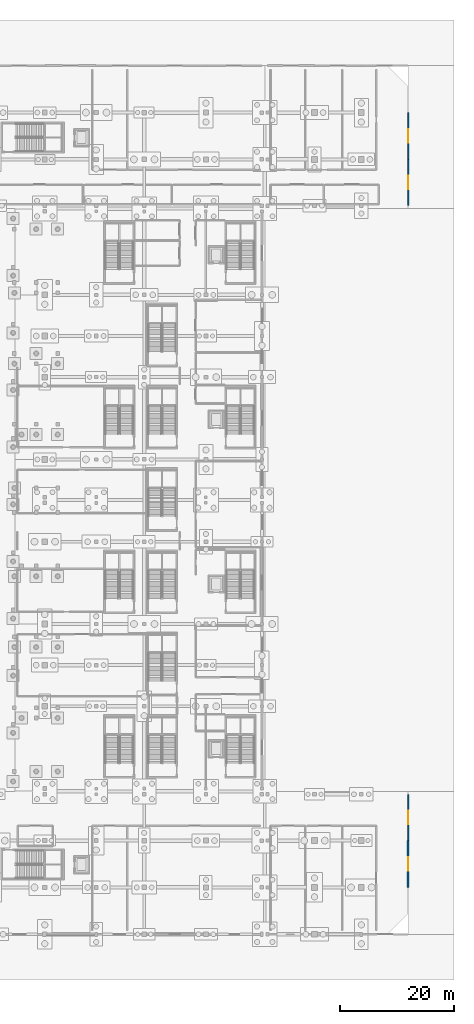
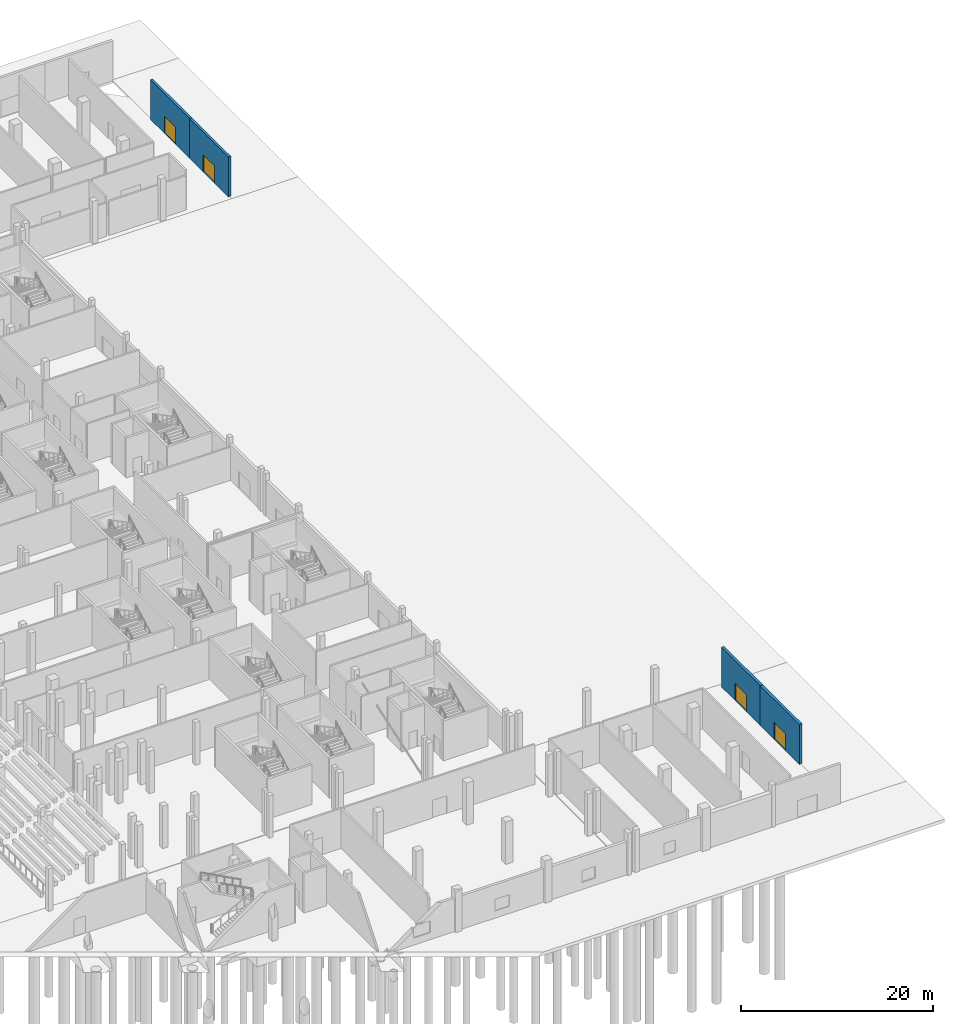
# One storey, part 50 of 89: 4 doors, 4 walls, 4 openings.
"""IFC4 building model written with IfcOpenShell, lengths in metres."""

import ifcopenshell
import ifcopenshell.guid

model = None  # the IFC model being written
_history = None  # IfcOwnerHistory: only IFC2X3 demands one
_inside = {}  # id of a spatial element -> (the spatial element, [elements in it])
_under = {}  # id of a project, library or spatial element -> (it, [spatial elements below it])
_declared = {}  # id of a project -> (the project, [libraries it declares])
_typed = {}  # id of a type object -> (the type object, [elements of that type])
_made_of = {}  # id of a material, layer set ... -> (it, [elements and type objects made of it])


def new_model(schema):
    """Start an empty IFC model of exactly this schema.

    Asked for "IFC4X3", IfcOpenShell would pick the latest addendum, in which some entities
    have other attributes; the version numbers below select the first issue.
    IFC2X3 requires an IfcOwnerHistory on every rooted entity: one is made here for all.
    """
    global model, _history
    if schema == "IFC4X3":
        model = ifcopenshell.file(schema_version=(4, 3, 0, 0))
    else:
        model = ifcopenshell.file(schema=schema)
    _inside.clear()
    _under.clear()
    _declared.clear()
    _typed.clear()
    _made_of.clear()
    _history = None
    if model.schema == "IFC2X3":
        org = make("IfcOrganization", Name="unknown")
        user = make(
            "IfcPersonAndOrganization",
            ThePerson=make("IfcPerson", FamilyName="unknown"),
            TheOrganization=org,
        )
        app = make(
            "IfcApplication",
            ApplicationDeveloper=org,
            Version="unknown",
            ApplicationFullName="unknown",
            ApplicationIdentifier="unknown",
        )
        _history = make(
            "IfcOwnerHistory",
            OwningUser=user,
            OwningApplication=app,
            ChangeAction="ADDED",
            CreationDate=0,
        )
    return model


def make(cls, **values):
    """One entity of the class cls with the attributes given. An attribute that is None is left unset."""
    return model.create_entity(
        cls, **{name: value for name, value in values.items() if value is not None}
    )


def rooted(cls, **values):
    """An entity with a GlobalId (a new one), such as an element, a storey or a relation."""
    return make(cls, GlobalId=ifcopenshell.guid.new(), OwnerHistory=_history, **values)


def si_unit(unit_type, name, prefix=None):
    """IfcSIUnit, for example si_unit("LENGTHUNIT", "METRE", prefix="MILLI")."""
    return make("IfcSIUnit", UnitType=unit_type, Prefix=prefix, Name=name)


def assignment(units):
    """IfcUnitAssignment: the units of a project."""
    return None if units is None else make("IfcUnitAssignment", Units=units)


def point(xyz):
    """IfcCartesianPoint."""
    return None if xyz is None else make("IfcCartesianPoint", Coordinates=xyz)


def direction(xyz):
    """IfcDirection."""
    return None if xyz is None else make("IfcDirection", DirectionRatios=xyz)


def frame(location, z_axis=None, x_axis=None):
    """IfcAxis2Placement3D, a coordinate frame: its origin and axes. An axis left out is left unset."""
    return make(
        "IfcAxis2Placement3D",
        Location=point(location),
        Axis=direction(z_axis),
        RefDirection=direction(x_axis),
    )


def frame_2d(location, x_axis=None):
    """IfcAxis2Placement2D, a coordinate frame in the plane: its origin and x axis."""
    return make(
        "IfcAxis2Placement2D", Location=point(location), RefDirection=direction(x_axis)
    )


def origin():
    """The frame at (0, 0, 0) with its axes left unset."""
    return frame((0.0, 0.0, 0.0))


def place(relative_to, where):
    """IfcLocalPlacement: puts the frame where relative to a parent placement (None: the world)."""
    return make(
        "IfcLocalPlacement", PlacementRelTo=relative_to, RelativePlacement=where
    )


def context(
    kind, dimensions, precision=None, world=None, true_north=None, identifier=None
):
    """IfcGeometricRepresentationContext, for example the 3D "Model" context."""
    return make(
        "IfcGeometricRepresentationContext",
        ContextIdentifier=identifier,
        ContextType=kind,
        CoordinateSpaceDimension=dimensions,
        Precision=precision,
        WorldCoordinateSystem=world,
        TrueNorth=true_north,
    )


def subcontext(parent, identifier, kind, view, scale=None):
    """IfcGeometricRepresentationSubContext, for example "Body" below "Model"."""
    return make(
        "IfcGeometricRepresentationSubContext",
        ContextIdentifier=identifier,
        ContextType=kind,
        ParentContext=parent,
        TargetScale=scale,
        TargetView=view,
    )


def project(units=None, contexts=None):
    """IfcProject with its units and contexts."""
    return rooted(
        "IfcProject",
        Name="project",
        RepresentationContexts=contexts,
        UnitsInContext=assignment(units),
    )


def spatial(cls, under=None, at=None, **own):
    """A site, building, storey or space (cls), placed at a placement, below another one or the project."""
    s = rooted(cls, ObjectPlacement=at, **own)
    if under is not None:
        _under.setdefault(under.id(), (under, []))[1].append(s)
    return s


def profile(cls, at=None, kind="AREA", **sizes):
    """A parametric profile (cls). Its sizes go by their IFC names, for example OverallWidth=200.0."""
    return make(cls, ProfileType=kind, Position=at, **sizes)


def rectangle(**sizes):
    """IfcRectangleProfileDef."""
    return profile("IfcRectangleProfileDef", **sizes)


def extrude(swept, where, along, depth):
    """IfcExtrudedAreaSolid: the profile swept, set in the frame where, extruded along a direction by depth."""
    return make(
        "IfcExtrudedAreaSolid",
        SweptArea=swept,
        Position=where,
        ExtrudedDirection=direction(along),
        Depth=depth,
    )


def shape(context_of_items, identifier, shape_type, items):
    """IfcShapeRepresentation: the items that make up one representation, for example the "Body"."""
    return make(
        "IfcShapeRepresentation",
        ContextOfItems=context_of_items,
        RepresentationIdentifier=identifier,
        RepresentationType=shape_type,
        Items=items,
    )


def material(Name=None, Category=None):
    """IfcMaterial."""
    return make("IfcMaterial", Name=Name, Category=Category)


def layer(
    of_material, thickness, ventilated=None, Name=None, Category=None, Priority=None
):
    """IfcMaterialLayer: one layer of a wall or slab, of a material (None: an air gap)."""
    return make(
        "IfcMaterialLayer",
        Material=of_material,
        LayerThickness=thickness,
        IsVentilated=ventilated,
        Name=Name,
        Category=Category,
        Priority=Priority,
    )


def layer_set(layers, Name=None):
    """IfcMaterialLayerSet."""
    return make("IfcMaterialLayerSet", MaterialLayers=layers, LayerSetName=Name)


def made_of(thing, what):
    """Note that an element or type object is made of a material, layer set ...; save() writes the relation."""
    if what is not None:
        _made_of.setdefault(what.id(), (what, []))[1].append(thing)
    return thing


def type_object(cls, material=None, **own):
    """A type object (cls), such as IfcWallType, which elements share."""
    return made_of(rooted(cls, **own), material)


def element(
    cls,
    number,
    at=None,
    inside=None,
    cuts=None,
    type_object=None,
    material=None,
    context=None,
    identifier="Body",
    shape_type=None,
    held_by="IfcProductDefinitionShape",
    body=None,
    shapes=None,
    **own,
):
    """One element of the class cls, such as IfcWall. Its Tag is "e" and its number.

    at: its placement. inside: the storey or other place that contains it. cuts: it is an
    opening in that element (IfcRelVoidsElement). A single representation is given by context,
    identifier, shape_type and body (its items); several are given by shapes. held_by: the class
    of the entity that holds the representations. save() writes the other relations.
    """
    e = rooted(cls, Tag="e%d" % number, ObjectPlacement=at, **own)
    if body is not None:
        shapes = [shape(context, identifier, shape_type, body)]
    if shapes is not None:
        e.Representation = make(held_by, Representations=shapes)
    if inside is not None:
        _inside.setdefault(inside.id(), (inside, []))[1].append(e)
    if cuts is not None:
        rooted(
            "IfcRelVoidsElement", RelatingBuildingElement=cuts, RelatedOpeningElement=e
        )
    if type_object is not None:
        _typed.setdefault(type_object.id(), (type_object, []))[1].append(e)
    return made_of(e, material)


def fill(opening, filler):
    """IfcRelFillsElement: the door or window that sits in an opening."""
    return rooted(
        "IfcRelFillsElement",
        RelatingOpeningElement=opening,
        RelatedBuildingElement=filler,
    )


def aggregate(whole, parts):
    """IfcRelAggregates: a whole, such as a stair, and the parts it consists of."""
    return rooted("IfcRelAggregates", RelatingObject=whole, RelatedObjects=parts)


def save(model, path):
    """Write the relations noted so far, then the file.

    IfcRelAggregates (storeys below a building ...), IfcRelContainedInSpatialStructure (elements
    in a storey), IfcRelDefinesByType, IfcRelAssociatesMaterial and IfcRelDeclares: one each for
    every whole, place, type object, material and project.
    """
    for whole, parts in _under.values():
        aggregate(whole, parts)
    for where, things in _inside.values():
        rooted(
            "IfcRelContainedInSpatialStructure",
            RelatedElements=things,
            RelatingStructure=where,
        )
    for kind, things in _typed.values():
        rooted("IfcRelDefinesByType", RelatedObjects=things, RelatingType=kind)
    for what, things in _made_of.values():
        rooted("IfcRelAssociatesMaterial", RelatedObjects=things, RelatingMaterial=what)
    for by, libraries in _declared.values():
        rooted("IfcRelDeclares", RelatingContext=by, RelatedDefinitions=libraries)
    model.write(path)


model = new_model("IFC4")

# Units and contexts
model_context = context("Model", 3, precision=1e-05, world=origin(), true_north=direction((0.0, 1.0)))
body_context = subcontext(model_context, "Body", "Model", "MODEL_VIEW")
ifc_project = project(units=[si_unit("LENGTHUNIT", "METRE"), si_unit("AREAUNIT", "SQUARE_METRE"), si_unit("VOLUMEUNIT", "CUBIC_METRE"), si_unit("PLANEANGLEUNIT", "RADIAN"), si_unit("MASSUNIT", "GRAM", prefix="KILO")], contexts=[model_context])

# Site, building, storey
site_placement = place(None, origin())
site = spatial("IfcSite", under=ifc_project, at=site_placement, CompositionType="ELEMENT")
building_placement = place(site_placement, origin())
building = spatial("IfcBuilding", under=site, at=building_placement, Name="Koshinbarg Plaza Stadium", CompositionType="ELEMENT")
storey_placement = place(building_placement, origin())
storey = spatial("IfcBuildingStorey", under=building, at=storey_placement, Name="L00", CompositionType="ELEMENT", Elevation=0.0)

# Wall, opening, door
ifc_material_1 = material(Name="Terracotta-ochre mineral plaster insulated wall", Category="masonry")
ifc_layer_1 = layer(ifc_material_1, 0.280029296875)
ifc_layer_set_1 = layer_set([ifc_layer_1], Name="Terracotta-ochre mineral plaster insulated wall")
wall_type_1 = type_object("IfcWallType", Name="WL-EXT-280", PredefinedType="SOLIDWALL", material=ifc_layer_set_1)
wall_1_placement = place(storey_placement, frame((244.0, 143.800048828125, 0.0), z_axis=(0.0, 0.0, 1.0), x_axis=(0.0, -1.0, 0.0)))
wall_1 = element("IfcWall", 1, at=wall_1_placement, inside=storey, type_object=wall_type_1, Name="L00 exterior envelope wall EWL-L00-0048", PredefinedType="SOLIDWALL", context=body_context, shape_type="SweptSolid", body=[
    extrude(rectangle(XDim=8.199951171875, YDim=0.280029296875, at=frame_2d((4.10009765625, 0.0))), origin(), (0.0, 0.0, 1.0), 5.080078125),
])
opening_1_placement = place(wall_1_placement, frame((2.89990234375, 0.0, 0.0)))
opening_1 = element("IfcOpeningElement", 2, at=opening_1_placement, cuts=wall_1, Name="Opening D-0049", PredefinedType="OPENING", context=body_context, shape_type="SweptSolid", body=[
    extrude(rectangle(XDim=2.39990234375, YDim=2.199951171875, at=frame_2d((1.199951171875, 1.10009765625))), frame((0.0, 0.14990234375, 0.0), z_axis=(0.0, -1.0, 0.0), x_axis=(1.0, 0.0, 0.0)), (0.0, 0.0, 1.0), 0.300048828125),
])
ifc_material_2 = material(Name="Anodised aluminium thermally broken exit door", Category="aluminium")
door_type = type_object("IfcDoorType", Name="DR-EXIT-2400", OperationType="NOTDEFINED", PredefinedType="DOOR", material=ifc_material_2)
door_1_placement = place(opening_1_placement, origin())
door_1 = element("IfcDoor", 3, at=door_1_placement, inside=storey, type_object=door_type, Name="Main exit E48", OperationType="DOUBLE_DOOR_SINGLE_SWING", OverallHeight=2.199951171875, OverallWidth=2.39990234375, PredefinedType="DOOR", context=body_context, shape_type="SweptSolid", body=[
    extrude(rectangle(XDim=2.39990234375, YDim=2.199951171875, at=frame_2d((1.199951171875, 1.10009765625))), frame((0.0, 0.02490234375, 0.0), z_axis=(0.0, -1.0, 0.0), x_axis=(1.0, 0.0, 0.0)), (0.0, 0.0, 1.0), 0.050048828125),
])
fill(opening_1, door_1)

ifc_material_3 = material(Name="Off-white mineral plaster insulated wall", Category="masonry")
ifc_layer_2 = layer(ifc_material_3, 0.300048828125)
ifc_layer_set_2 = layer_set([ifc_layer_2], Name="Off-white mineral plaster insulated wall")
wall_type_2 = type_object("IfcWallType", Name="WL-EXT-300", PredefinedType="SOLIDWALL", material=ifc_layer_set_2)
wall_2_placement = place(storey_placement, frame((244.0, 135.60009765625, 0.0), z_axis=(0.0, 0.0, 1.0), x_axis=(0.0, -1.0, 0.0)))
wall_2 = element("IfcWall", 4, at=wall_2_placement, inside=storey, type_object=wall_type_2, Name="L00 exterior envelope wall EWL-L00-0049", PredefinedType="SOLIDWALL", context=body_context, shape_type="SweptSolid", body=[
    extrude(rectangle(XDim=8.10009765625, YDim=0.300048828125, at=frame_2d((4.050048828125, 0.0))), origin(), (0.0, 0.0, 1.0), 5.080078125),
])
opening_2_placement = place(wall_2_placement, frame((2.85009765625, 0.0, 0.0)))
opening_2 = element("IfcOpeningElement", 5, at=opening_2_placement, cuts=wall_2, Name="Opening D-0050", PredefinedType="OPENING", context=body_context, shape_type="SweptSolid", body=[
    extrude(rectangle(XDim=2.39990234375, YDim=2.199951171875, at=frame_2d((1.199951171875, 1.10009765625))), frame((0.0, 0.159912109375, 0.0), z_axis=(0.0, -1.0, 0.0), x_axis=(1.0, 0.0, 0.0)), (0.0, 0.0, 1.0), 0.320068359375),
])
door_2_placement = place(opening_2_placement, origin())
door_2 = element("IfcDoor", 6, at=door_2_placement, inside=storey, type_object=door_type, Name="Main exit E49", OperationType="DOUBLE_DOOR_SINGLE_SWING", OverallHeight=2.199951171875, OverallWidth=2.39990234375, PredefinedType="DOOR", context=body_context, shape_type="SweptSolid", body=[
    extrude(rectangle(XDim=2.39990234375, YDim=2.199951171875, at=frame_2d((1.199951171875, 1.10009765625))), frame((0.0, 0.02490234375, 0.0), z_axis=(0.0, -1.0, 0.0), x_axis=(1.0, 0.0, 0.0)), (0.0, 0.0, 1.0), 0.050048828125),
])
fill(opening_2, door_2)

ifc_material_4 = material(Name="Ultramarine-blue pigmented mineral plaster facade wall", Category="masonry")
ifc_layer_3 = layer(ifc_material_4, 0.320068359375)
ifc_layer_set_3 = layer_set([ifc_layer_3], Name="Ultramarine-blue pigmented mineral plaster facade wall")
wall_type_3 = type_object("IfcWallType", Name="WL-EXT-320", PredefinedType="SOLIDWALL", material=ifc_layer_set_3)
wall_3_placement = place(storey_placement, frame((244.0, 24.5, 0.0), z_axis=(0.0, 0.0, 1.0), x_axis=(0.0, -1.0, 0.0)))
wall_3 = element("IfcWall", 7, at=wall_3_placement, inside=storey, type_object=wall_type_3, Name="L00 exterior envelope wall EWL-L00-0050", PredefinedType="SOLIDWALL", context=body_context, shape_type="SweptSolid", body=[
    extrude(rectangle(XDim=8.10009765625, YDim=0.320068359375, at=frame_2d((4.050048828125, 0.0))), origin(), (0.0, 0.0, 1.0), 5.080078125),
])
opening_3_placement = place(wall_3_placement, frame((2.85009765625, 0.0, 0.0)))
opening_3 = element("IfcOpeningElement", 8, at=opening_3_placement, cuts=wall_3, Name="Opening D-0051", PredefinedType="OPENING", context=body_context, shape_type="SweptSolid", body=[
    extrude(rectangle(XDim=2.39990234375, YDim=2.199951171875, at=frame_2d((1.199951171875, 1.10009765625))), frame((0.0, 0.169921875, 0.0), z_axis=(0.0, -1.0, 0.0), x_axis=(1.0, 0.0, 0.0)), (0.0, 0.0, 1.0), 0.340087890625),
])
door_3_placement = place(opening_3_placement, origin())
door_3 = element("IfcDoor", 9, at=door_3_placement, inside=storey, type_object=door_type, Name="Main exit E50", OperationType="DOUBLE_DOOR_SINGLE_SWING", OverallHeight=2.199951171875, OverallWidth=2.39990234375, PredefinedType="DOOR", context=body_context, shape_type="SweptSolid", body=[
    extrude(rectangle(XDim=2.39990234375, YDim=2.199951171875, at=frame_2d((1.199951171875, 1.10009765625))), frame((0.0, 0.02490234375, 0.0), z_axis=(0.0, -1.0, 0.0), x_axis=(1.0, 0.0, 0.0)), (0.0, 0.0, 1.0), 0.050048828125),
])
fill(opening_3, door_3)

ifc_material_5 = material(Name="Acoustic insulated masonry stadium wall", Category="masonry")
ifc_layer_4 = layer(ifc_material_5, 0.35009765625)
ifc_layer_set_4 = layer_set([ifc_layer_4], Name="Acoustic insulated masonry stadium wall")
wall_type_4 = type_object("IfcWallType", Name="WL-EXT-350", PredefinedType="SOLIDWALL", material=ifc_layer_set_4)
wall_4_placement = place(storey_placement, frame((244.0, 16.39990234375, 0.0), z_axis=(0.0, 0.0, 1.0), x_axis=(0.0, -1.0, 0.0)))
wall_4 = element("IfcWall", 10, at=wall_4_placement, inside=storey, type_object=wall_type_4, Name="L00 exterior envelope wall EWL-L00-0051", PredefinedType="SOLIDWALL", context=body_context, shape_type="SweptSolid", body=[
    extrude(rectangle(XDim=8.199951171875, YDim=0.35009765625, at=frame_2d((4.10009765625, 0.0))), origin(), (0.0, 0.0, 1.0), 5.080078125),
])
opening_4_placement = place(wall_4_placement, frame((2.89990234375, 0.0, 0.0)))
opening_4 = element("IfcOpeningElement", 11, at=opening_4_placement, cuts=wall_4, Name="Opening D-0052", PredefinedType="OPENING", context=body_context, shape_type="SweptSolid", body=[
    extrude(rectangle(XDim=2.39990234375, YDim=2.199951171875, at=frame_2d((1.199951171875, 1.10009765625))), frame((0.0, 0.18505859375, 0.0), z_axis=(0.0, -1.0, 0.0), x_axis=(1.0, 0.0, 0.0)), (0.0, 0.0, 1.0), 0.3701171875),
])
door_4_placement = place(opening_4_placement, origin())
door_4 = element("IfcDoor", 12, at=door_4_placement, inside=storey, type_object=door_type, Name="Main exit E51", OperationType="DOUBLE_DOOR_SINGLE_SWING", OverallHeight=2.199951171875, OverallWidth=2.39990234375, PredefinedType="DOOR", context=body_context, shape_type="SweptSolid", body=[
    extrude(rectangle(XDim=2.39990234375, YDim=2.199951171875, at=frame_2d((1.199951171875, 1.10009765625))), frame((0.0, 0.02490234375, 0.0), z_axis=(0.0, -1.0, 0.0), x_axis=(1.0, 0.0, 0.0)), (0.0, 0.0, 1.0), 0.050048828125),
])
fill(opening_4, door_4)

save(model, "model.ifc")
